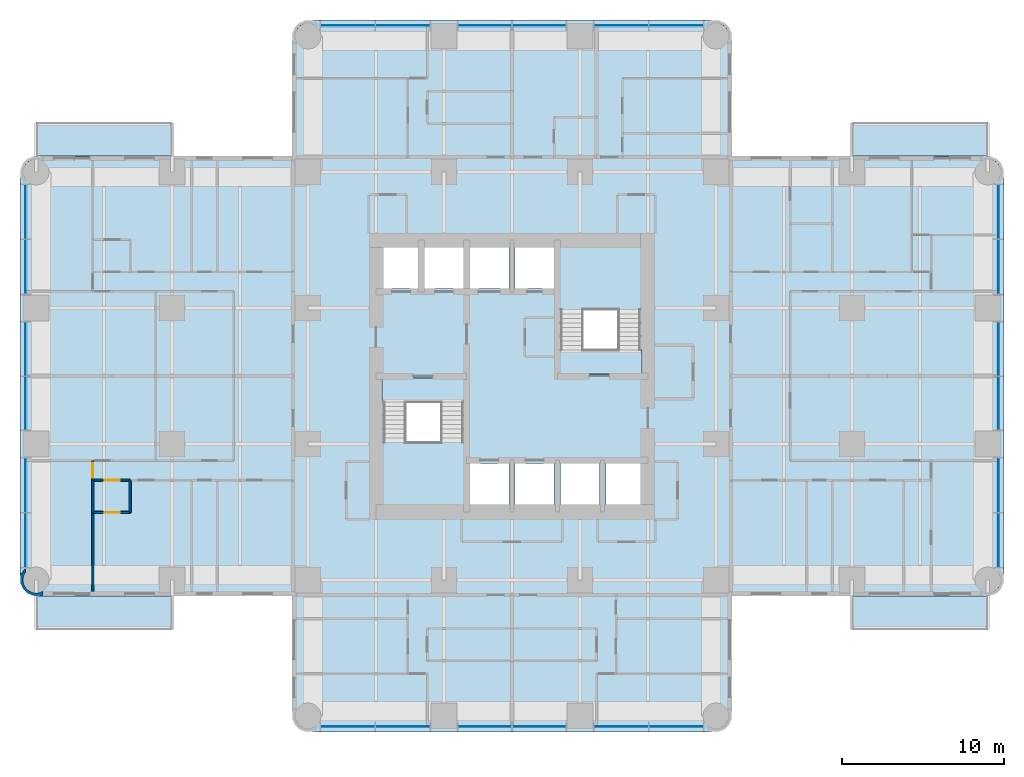
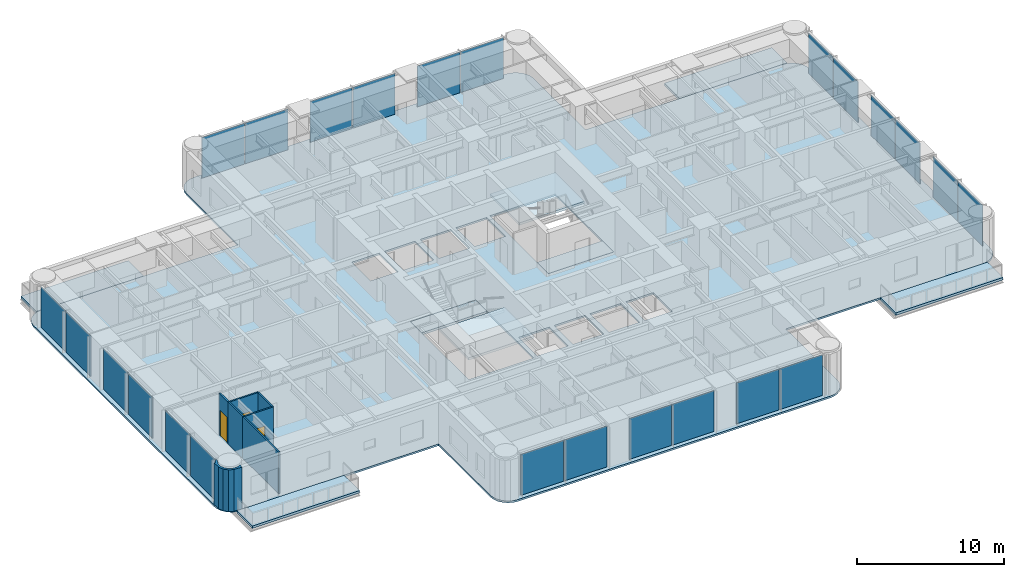
# One storey, part 5 of 15: 24 plates, 9 slabs, 7 walls, 3 doors, 3 openings, 6 elements without a shape of their own.
"""IFC4 building model written with IfcOpenShell, lengths in metres."""

from ifc_helpers import new_model, si_unit, direction, frame, frame_2d, origin, origin_2d, place, context, subcontext, project, spatial, polyline, rectangle, outline, extrude, material, layer, layer_set, type_object, element, fill, aggregate, save


model = new_model("IFC4")

# Units and contexts
model_context = context("Model", 3, precision=1e-05, world=origin(), true_north=direction((0.0, 1.0)))
body_context = subcontext(model_context, "Body", "Model", "MODEL_VIEW")
ifc_project = project(units=[si_unit("LENGTHUNIT", "METRE"), si_unit("AREAUNIT", "SQUARE_METRE"), si_unit("VOLUMEUNIT", "CUBIC_METRE"), si_unit("PLANEANGLEUNIT", "RADIAN"), si_unit("MASSUNIT", "GRAM", prefix="KILO")], contexts=[model_context])

# Site, building, storey
site_placement = place(None, origin())
site = spatial("IfcSite", under=ifc_project, at=site_placement, CompositionType="ELEMENT")
building_placement = place(site_placement, origin())
building = spatial("IfcBuilding", under=site, at=building_placement, Name="Torre Alcanfor", CompositionType="ELEMENT")
storey_placement = place(building_placement, frame((0.0, 0.0, 148.5)))
storey = spatial("IfcBuildingStorey", under=building, at=storey_placement, Name="L38", CompositionType="ELEMENT", Elevation=148.5)

# Slabs
ifc_material_1 = material(Name="Concrete f'c 35 MPa", Category="concrete")
ifc_layer_1 = layer(ifc_material_1, 0.199951171875)
ifc_layer_set_1 = layer_set([ifc_layer_1], Name="Balcony slab 200")
slab_type_1 = type_object("IfcSlabType", Name="Balcony slab 200", PredefinedType="FLOOR", material=ifc_layer_set_1)
slab_1_placement = place(storey_placement, frame((0.0, 0.0, -0.199951171875)))
element("IfcSlab", 1, at=slab_1_placement, inside=storey, type_object=slab_type_1, Name="Balcony L38-E1", PredefinedType="FLOOR", context=body_context, shape_type="SweptSolid", body=[
    extrude(outline(polyline([(50.39990234375, 43.0), (58.800048828125, 43.0), (58.800048828125, 45.10009765625), (50.39990234375, 45.10009765625), (50.39990234375, 43.0)])), origin(), (0.0, 0.0, 1.0), 0.199951171875),
])
slab_2_placement = place(storey_placement, frame((0.0, 0.0, -0.199951171875)))
element("IfcSlab", 2, at=slab_2_placement, inside=storey, type_object=slab_type_1, Name="Balcony L38-E2", PredefinedType="FLOOR", context=body_context, shape_type="SweptSolid", body=[
    extrude(outline(polyline([(50.39990234375, 13.699951171875), (58.800048828125, 13.699951171875), (58.800048828125, 15.800048828125), (50.39990234375, 15.800048828125), (50.39990234375, 13.699951171875)])), origin(), (0.0, 0.0, 1.0), 0.199951171875),
])
slab_3_placement = place(storey_placement, frame((0.0, 0.0, -0.199951171875)))
element("IfcSlab", 3, at=slab_3_placement, inside=storey, type_object=slab_type_1, Name="Balcony L38-W1", PredefinedType="FLOOR", context=body_context, shape_type="SweptSolid", body=[
    extrude(outline(polyline([(8.39990234375, 15.800048828125), (0.0, 15.800048828125), (0.0, 13.699951171875), (8.39990234375, 13.699951171875), (8.39990234375, 15.800048828125)])), origin(), (0.0, 0.0, 1.0), 0.199951171875),
])
slab_4_placement = place(storey_placement, frame((0.0, 0.0, -0.199951171875)))
element("IfcSlab", 4, at=slab_4_placement, inside=storey, type_object=slab_type_1, Name="Balcony L38-W2", PredefinedType="FLOOR", context=body_context, shape_type="SweptSolid", body=[
    extrude(outline(polyline([(8.39990234375, 45.10009765625), (0.0, 45.10009765625), (0.0, 43.0), (8.39990234375, 43.0), (8.39990234375, 45.10009765625)])), origin(), (0.0, 0.0, 1.0), 0.199951171875),
])

# Curtain wall, plates
ifc_material_2 = material(Name="Aluminium and glass", Category="aluminium")
curtain_wall_type = type_object("IfcCurtainWallType", Name="CW-A unitised apartment glazing with vertical FIN", PredefinedType="NOTDEFINED", material=ifc_material_2)
curtain_wall_1_placement = place(storey_placement, origin())
curtain_wall_1 = element("IfcCurtainWall", 5, at=curtain_wall_1_placement, inside=storey, type_object=curtain_wall_type, Name="Curtain wall CW-A L38 2", PredefinedType="NOTDEFINED")
ifc_material_3 = material(Name="Glass", Category="glass")
ifc_layer_2 = layer(ifc_material_3, 0.028076171875)
ifc_layer_set_2 = layer_set([ifc_layer_2], Name="CW-A clear double glazed unit")
plate_type = type_object("IfcPlateType", Name="CW-A clear double glazed unit", PredefinedType="CURTAIN_PANEL", material=ifc_layer_set_2)
plate_1_placement = place(storey_placement, frame((-0.64990234375, 39.541259765625, 0.0), z_axis=(0.0, 0.0, 1.0), x_axis=(0.0, -1.0, 0.0)))
plate_1 = element("IfcPlate", 6, at=plate_1_placement, type_object=plate_type, Name="CW-A panel 1.1.1", PredefinedType="CURTAIN_PANEL", context=body_context, shape_type="SweptSolid", body=[
    extrude(rectangle(XDim=3.337646484375, YDim=0.028076171875, at=origin_2d()), origin(), (0.0, 0.0, 1.0), 3.385009765625),
])
plate_2_placement = place(storey_placement, frame((-0.64990234375, 36.138671875, 0.0), z_axis=(0.0, 0.0, 1.0), x_axis=(0.0, -1.0, 0.0)))
plate_2 = element("IfcPlate", 7, at=plate_2_placement, type_object=plate_type, Name="CW-A panel 1.2.1", PredefinedType="CURTAIN_PANEL", context=body_context, shape_type="SweptSolid", body=[
    extrude(rectangle(XDim=3.337646484375, YDim=0.028076171875, at=origin_2d()), origin(), (0.0, 0.0, 1.0), 3.385009765625),
])
plate_3_placement = place(storey_placement, frame((-0.64990234375, 31.081298828125, 0.0), z_axis=(0.0, 0.0, 1.0), x_axis=(0.0, -1.0, 0.0)))
plate_3 = element("IfcPlate", 8, at=plate_3_placement, type_object=plate_type, Name="CW-A panel 2.1.1", PredefinedType="CURTAIN_PANEL", context=body_context, shape_type="SweptSolid", body=[
    extrude(rectangle(XDim=3.297607421875, YDim=0.028076171875, at=origin_2d()), origin(), (0.0, 0.0, 1.0), 3.385009765625),
])
plate_4_placement = place(storey_placement, frame((-0.64990234375, 27.71875, 0.0), z_axis=(0.0, 0.0, 1.0), x_axis=(0.0, -1.0, 0.0)))
plate_4 = element("IfcPlate", 9, at=plate_4_placement, type_object=plate_type, Name="CW-A panel 2.2.1", PredefinedType="CURTAIN_PANEL", context=body_context, shape_type="SweptSolid", body=[
    extrude(rectangle(XDim=3.297607421875, YDim=0.028076171875, at=origin_2d()), origin(), (0.0, 0.0, 1.0), 3.385009765625),
])
plate_5_placement = place(storey_placement, frame((-0.64990234375, 22.6611328125, 0.0), z_axis=(0.0, 0.0, 1.0), x_axis=(0.0, -1.0, 0.0)))
plate_5 = element("IfcPlate", 10, at=plate_5_placement, type_object=plate_type, Name="CW-A panel 3.1.1", PredefinedType="CURTAIN_PANEL", context=body_context, shape_type="SweptSolid", body=[
    extrude(rectangle(XDim=3.337646484375, YDim=0.028076171875, at=origin_2d()), origin(), (0.0, 0.0, 1.0), 3.385009765625),
])
plate_6_placement = place(storey_placement, frame((-0.64990234375, 19.2587890625, 0.0), z_axis=(0.0, 0.0, 1.0), x_axis=(0.0, -1.0, 0.0)))
plate_6 = element("IfcPlate", 11, at=plate_6_placement, type_object=plate_type, Name="CW-A panel 3.2.1", PredefinedType="CURTAIN_PANEL", context=body_context, shape_type="SweptSolid", body=[
    extrude(rectangle(XDim=3.337646484375, YDim=0.028076171875, at=origin_2d()), origin(), (0.0, 0.0, 1.0), 3.385009765625),
])
aggregate(curtain_wall_1, [plate_1, plate_2, plate_3, plate_4, plate_5, plate_6])

curtain_wall_2_placement = place(storey_placement, origin())
curtain_wall_2 = element("IfcCurtainWall", 12, at=curtain_wall_2_placement, inside=storey, type_object=curtain_wall_type, Name="Curtain wall CW-A L38 5", PredefinedType="NOTDEFINED")
plate_7_placement = place(storey_placement, frame((19.2587890625, 7.75, 0.0), z_axis=(0.0, 0.0, 1.0), x_axis=(1.0, 0.0, 0.0)))
plate_7 = element("IfcPlate", 13, at=plate_7_placement, type_object=plate_type, Name="CW-A panel 1.1.1", PredefinedType="CURTAIN_PANEL", context=body_context, shape_type="SweptSolid", body=[
    extrude(rectangle(XDim=3.337646484375, YDim=0.028076171875, at=origin_2d()), origin(), (0.0, 0.0, 1.0), 3.385009765625),
])
plate_8_placement = place(storey_placement, frame((22.6611328125, 7.75, 0.0), z_axis=(0.0, 0.0, 1.0), x_axis=(1.0, 0.0, 0.0)))
plate_8 = element("IfcPlate", 14, at=plate_8_placement, type_object=plate_type, Name="CW-A panel 1.2.1", PredefinedType="CURTAIN_PANEL", context=body_context, shape_type="SweptSolid", body=[
    extrude(rectangle(XDim=3.337646484375, YDim=0.028076171875, at=origin_2d()), origin(), (0.0, 0.0, 1.0), 3.385009765625),
])
plate_9_placement = place(storey_placement, frame((27.71875, 7.75, 0.0), z_axis=(0.0, 0.0, 1.0), x_axis=(1.0, 0.0, 0.0)))
plate_9 = element("IfcPlate", 15, at=plate_9_placement, type_object=plate_type, Name="CW-A panel 2.1.1", PredefinedType="CURTAIN_PANEL", context=body_context, shape_type="SweptSolid", body=[
    extrude(rectangle(XDim=3.297607421875, YDim=0.028076171875, at=origin_2d()), origin(), (0.0, 0.0, 1.0), 3.385009765625),
])
plate_10_placement = place(storey_placement, frame((31.081298828125, 7.75, 0.0), z_axis=(0.0, 0.0, 1.0), x_axis=(1.0, 0.0, 0.0)))
plate_10 = element("IfcPlate", 16, at=plate_10_placement, type_object=plate_type, Name="CW-A panel 2.2.1", PredefinedType="CURTAIN_PANEL", context=body_context, shape_type="SweptSolid", body=[
    extrude(rectangle(XDim=3.297607421875, YDim=0.028076171875, at=origin_2d()), origin(), (0.0, 0.0, 1.0), 3.385009765625),
])
plate_11_placement = place(storey_placement, frame((36.138671875, 7.75, 0.0), z_axis=(0.0, 0.0, 1.0), x_axis=(1.0, 0.0, 0.0)))
plate_11 = element("IfcPlate", 17, at=plate_11_placement, type_object=plate_type, Name="CW-A panel 3.1.1", PredefinedType="CURTAIN_PANEL", context=body_context, shape_type="SweptSolid", body=[
    extrude(rectangle(XDim=3.337646484375, YDim=0.028076171875, at=origin_2d()), origin(), (0.0, 0.0, 1.0), 3.385009765625),
])
plate_12_placement = place(storey_placement, frame((39.541259765625, 7.75, 0.0), z_axis=(0.0, 0.0, 1.0), x_axis=(1.0, 0.0, 0.0)))
plate_12 = element("IfcPlate", 18, at=plate_12_placement, type_object=plate_type, Name="CW-A panel 3.2.1", PredefinedType="CURTAIN_PANEL", context=body_context, shape_type="SweptSolid", body=[
    extrude(rectangle(XDim=3.337646484375, YDim=0.028076171875, at=origin_2d()), origin(), (0.0, 0.0, 1.0), 3.385009765625),
])
aggregate(curtain_wall_2, [plate_7, plate_8, plate_9, plate_10, plate_11, plate_12])

curtain_wall_3_placement = place(storey_placement, origin())
curtain_wall_3 = element("IfcCurtainWall", 19, at=curtain_wall_3_placement, inside=storey, type_object=curtain_wall_type, Name="Curtain wall CW-A L38 8", PredefinedType="NOTDEFINED")
plate_13_placement = place(storey_placement, frame((59.449951171875, 19.2587890625, 0.0), z_axis=(0.0, 0.0, 1.0), x_axis=(0.0, 1.0, 0.0)))
plate_13 = element("IfcPlate", 20, at=plate_13_placement, type_object=plate_type, Name="CW-A panel 1.1.1", PredefinedType="CURTAIN_PANEL", context=body_context, shape_type="SweptSolid", body=[
    extrude(rectangle(XDim=3.337646484375, YDim=0.028076171875, at=origin_2d()), origin(), (0.0, 0.0, 1.0), 3.385009765625),
])
plate_14_placement = place(storey_placement, frame((59.449951171875, 22.6611328125, 0.0), z_axis=(0.0, 0.0, 1.0), x_axis=(0.0, 1.0, 0.0)))
plate_14 = element("IfcPlate", 21, at=plate_14_placement, type_object=plate_type, Name="CW-A panel 1.2.1", PredefinedType="CURTAIN_PANEL", context=body_context, shape_type="SweptSolid", body=[
    extrude(rectangle(XDim=3.337646484375, YDim=0.028076171875, at=origin_2d()), origin(), (0.0, 0.0, 1.0), 3.385009765625),
])
plate_15_placement = place(storey_placement, frame((59.449951171875, 27.71875, 0.0), z_axis=(0.0, 0.0, 1.0), x_axis=(0.0, 1.0, 0.0)))
plate_15 = element("IfcPlate", 22, at=plate_15_placement, type_object=plate_type, Name="CW-A panel 2.1.1", PredefinedType="CURTAIN_PANEL", context=body_context, shape_type="SweptSolid", body=[
    extrude(rectangle(XDim=3.297607421875, YDim=0.028076171875, at=origin_2d()), origin(), (0.0, 0.0, 1.0), 3.385009765625),
])
plate_16_placement = place(storey_placement, frame((59.449951171875, 31.081298828125, 0.0), z_axis=(0.0, 0.0, 1.0), x_axis=(0.0, 1.0, 0.0)))
plate_16 = element("IfcPlate", 23, at=plate_16_placement, type_object=plate_type, Name="CW-A panel 2.2.1", PredefinedType="CURTAIN_PANEL", context=body_context, shape_type="SweptSolid", body=[
    extrude(rectangle(XDim=3.297607421875, YDim=0.028076171875, at=origin_2d()), origin(), (0.0, 0.0, 1.0), 3.385009765625),
])
plate_17_placement = place(storey_placement, frame((59.449951171875, 36.138671875, 0.0), z_axis=(0.0, 0.0, 1.0), x_axis=(0.0, 1.0, 0.0)))
plate_17 = element("IfcPlate", 24, at=plate_17_placement, type_object=plate_type, Name="CW-A panel 3.1.1", PredefinedType="CURTAIN_PANEL", context=body_context, shape_type="SweptSolid", body=[
    extrude(rectangle(XDim=3.337646484375, YDim=0.028076171875, at=origin_2d()), origin(), (0.0, 0.0, 1.0), 3.385009765625),
])
plate_18_placement = place(storey_placement, frame((59.449951171875, 39.541259765625, 0.0), z_axis=(0.0, 0.0, 1.0), x_axis=(0.0, 1.0, 0.0)))
plate_18 = element("IfcPlate", 25, at=plate_18_placement, type_object=plate_type, Name="CW-A panel 3.2.1", PredefinedType="CURTAIN_PANEL", context=body_context, shape_type="SweptSolid", body=[
    extrude(rectangle(XDim=3.337646484375, YDim=0.028076171875, at=origin_2d()), origin(), (0.0, 0.0, 1.0), 3.385009765625),
])
aggregate(curtain_wall_3, [plate_13, plate_14, plate_15, plate_16, plate_17, plate_18])

curtain_wall_4_placement = place(storey_placement, origin())
curtain_wall_4 = element("IfcCurtainWall", 26, at=curtain_wall_4_placement, inside=storey, type_object=curtain_wall_type, Name="Curtain wall CW-A L38 11", PredefinedType="NOTDEFINED")
plate_19_placement = place(storey_placement, frame((39.541259765625, 51.050048828125, 0.0), z_axis=(0.0, 0.0, 1.0), x_axis=(-1.0, 0.0, 0.0)))
plate_19 = element("IfcPlate", 27, at=plate_19_placement, type_object=plate_type, Name="CW-A panel 1.1.1", PredefinedType="CURTAIN_PANEL", context=body_context, shape_type="SweptSolid", body=[
    extrude(rectangle(XDim=3.337646484375, YDim=0.028076171875, at=origin_2d()), origin(), (0.0, 0.0, 1.0), 3.385009765625),
])
plate_20_placement = place(storey_placement, frame((36.138671875, 51.050048828125, 0.0), z_axis=(0.0, 0.0, 1.0), x_axis=(-1.0, 0.0, 0.0)))
plate_20 = element("IfcPlate", 28, at=plate_20_placement, type_object=plate_type, Name="CW-A panel 1.2.1", PredefinedType="CURTAIN_PANEL", context=body_context, shape_type="SweptSolid", body=[
    extrude(rectangle(XDim=3.337646484375, YDim=0.028076171875, at=origin_2d()), origin(), (0.0, 0.0, 1.0), 3.385009765625),
])
plate_21_placement = place(storey_placement, frame((31.081298828125, 51.050048828125, 0.0), z_axis=(0.0, 0.0, 1.0), x_axis=(-1.0, 0.0, 0.0)))
plate_21 = element("IfcPlate", 29, at=plate_21_placement, type_object=plate_type, Name="CW-A panel 2.1.1", PredefinedType="CURTAIN_PANEL", context=body_context, shape_type="SweptSolid", body=[
    extrude(rectangle(XDim=3.297607421875, YDim=0.028076171875, at=origin_2d()), origin(), (0.0, 0.0, 1.0), 3.385009765625),
])
plate_22_placement = place(storey_placement, frame((27.71875, 51.050048828125, 0.0), z_axis=(0.0, 0.0, 1.0), x_axis=(-1.0, 0.0, 0.0)))
plate_22 = element("IfcPlate", 30, at=plate_22_placement, type_object=plate_type, Name="CW-A panel 2.2.1", PredefinedType="CURTAIN_PANEL", context=body_context, shape_type="SweptSolid", body=[
    extrude(rectangle(XDim=3.297607421875, YDim=0.028076171875, at=origin_2d()), origin(), (0.0, 0.0, 1.0), 3.385009765625),
])
plate_23_placement = place(storey_placement, frame((22.6611328125, 51.050048828125, 0.0), z_axis=(0.0, 0.0, 1.0), x_axis=(-1.0, 0.0, 0.0)))
plate_23 = element("IfcPlate", 31, at=plate_23_placement, type_object=plate_type, Name="CW-A panel 3.1.1", PredefinedType="CURTAIN_PANEL", context=body_context, shape_type="SweptSolid", body=[
    extrude(rectangle(XDim=3.337646484375, YDim=0.028076171875, at=origin_2d()), origin(), (0.0, 0.0, 1.0), 3.385009765625),
])
plate_24_placement = place(storey_placement, frame((19.2587890625, 51.050048828125, 0.0), z_axis=(0.0, 0.0, 1.0), x_axis=(-1.0, 0.0, 0.0)))
plate_24 = element("IfcPlate", 32, at=plate_24_placement, type_object=plate_type, Name="CW-A panel 3.2.1", PredefinedType="CURTAIN_PANEL", context=body_context, shape_type="SweptSolid", body=[
    extrude(rectangle(XDim=3.337646484375, YDim=0.028076171875, at=origin_2d()), origin(), (0.0, 0.0, 1.0), 3.385009765625),
])
aggregate(curtain_wall_4, [plate_19, plate_20, plate_21, plate_22, plate_23, plate_24])

# Slab
ifc_material_4 = material(Name="Concrete f'c 35 MPa", Category="concrete")
ifc_layer_3 = layer(ifc_material_4, 0.14990234375)
ifc_layer_set_3 = layer_set([ifc_layer_3], Name="Composite floor 150 on metal deck")
slab_type_2 = type_object("IfcSlabType", Name="Composite floor 150 on metal deck", PredefinedType="FLOOR", material=ifc_layer_set_3)
slab_5_placement = place(storey_placement, frame((0.0, 0.0, -0.14990234375)))
element("IfcSlab", 33, at=slab_5_placement, inside=storey, type_object=slab_type_2, Name="Floor slab L38", PredefinedType="FLOOR", context=body_context, shape_type="SweptSolid", body=[
    extrude(outline(polyline([(15.800048828125, 43.0), (0.39990234375, 43.0), (0.03759765625, 42.952392578125), (-0.300048828125, 42.8125), (-0.58984375, 42.58984375), (-0.8125, 42.300048828125), (-0.952392578125, 41.96240234375), (-1.0, 41.60009765625), (-1.0, 17.199951171875), (-0.952392578125, 16.837646484375), (-0.8125, 16.5), (-0.58984375, 16.210205078125), (-0.300048828125, 15.987548828125), (0.03759765625, 15.84765625), (0.39990234375, 15.800048828125), (15.800048828125, 15.800048828125), (15.800048828125, 8.800048828125), (15.84765625, 8.437744140625), (15.987548828125, 8.10009765625), (16.210205078125, 7.81005859375), (16.5, 7.587646484375), (16.837646484375, 7.44775390625), (17.199951171875, 7.39990234375), (41.60009765625, 7.39990234375), (41.96240234375, 7.44775390625), (42.300048828125, 7.587646484375), (42.58984375, 7.81005859375), (42.8125, 8.10009765625), (42.952392578125, 8.437744140625), (43.0, 8.800048828125), (43.0, 15.800048828125), (58.39990234375, 15.800048828125), (58.76220703125, 15.84765625), (59.10009765625, 15.987548828125), (59.389892578125, 16.210205078125), (59.6123046875, 16.5), (59.752197265625, 16.837646484375), (59.800048828125, 17.199951171875), (59.800048828125, 41.60009765625), (59.752197265625, 41.96240234375), (59.6123046875, 42.300048828125), (59.389892578125, 42.58984375), (59.10009765625, 42.8125), (58.76220703125, 42.952392578125), (58.39990234375, 43.0), (43.0, 43.0), (43.0, 50.0), (42.952392578125, 50.3623046875), (42.8125, 50.699951171875), (42.58984375, 50.989990234375), (42.300048828125, 51.21240234375), (41.96240234375, 51.352294921875), (41.60009765625, 51.39990234375), (17.199951171875, 51.39990234375), (16.837646484375, 51.352294921875), (16.5, 51.21240234375), (16.210205078125, 50.989990234375), (15.987548828125, 50.699951171875), (15.84765625, 50.3623046875), (15.800048828125, 50.0), (15.800048828125, 43.0)]), holes=[polyline([(21.3701171875, 21.3701171875), (26.47998046875, 21.3701171875), (26.47998046875, 29.280029296875), (21.3701171875, 29.280029296875), (21.3701171875, 21.3701171875)]), polyline([(32.320068359375, 29.52001953125), (37.429931640625, 29.52001953125), (37.429931640625, 37.429931640625), (32.320068359375, 37.429931640625), (32.320068359375, 29.52001953125)]), polyline([(26.800048828125, 21.449951171875), (29.199951171875, 21.449951171875), (29.199951171875, 24.0), (26.800048828125, 24.0), (26.800048828125, 21.449951171875)]), polyline([(29.60009765625, 21.449951171875), (32.0, 21.449951171875), (32.0, 24.0), (29.60009765625, 24.0), (29.60009765625, 21.449951171875)]), polyline([(32.39990234375, 21.449951171875), (34.800048828125, 21.449951171875), (34.800048828125, 24.0), (32.39990234375, 24.0), (32.39990234375, 21.449951171875)]), polyline([(35.199951171875, 21.449951171875), (37.35009765625, 21.449951171875), (37.35009765625, 24.0), (35.199951171875, 24.0), (35.199951171875, 21.449951171875)]), polyline([(21.449951171875, 34.800048828125), (23.60009765625, 34.800048828125), (23.60009765625, 37.35009765625), (21.449951171875, 37.35009765625), (21.449951171875, 34.800048828125)]), polyline([(24.0, 34.800048828125), (26.39990234375, 34.800048828125), (26.39990234375, 37.35009765625), (24.0, 37.35009765625), (24.0, 34.800048828125)]), polyline([(26.800048828125, 34.800048828125), (29.199951171875, 34.800048828125), (29.199951171875, 37.35009765625), (26.800048828125, 37.35009765625), (26.800048828125, 34.800048828125)]), polyline([(29.60009765625, 34.800048828125), (32.0, 34.800048828125), (32.0, 37.35009765625), (29.60009765625, 37.35009765625), (29.60009765625, 34.800048828125)])]), origin(), (0.0, 0.0, 1.0), 0.14990234375),
])

# Stair, slabs
ifc_material_5 = material(Name="Concrete f'c 35 MPa", Category="concrete")
stair_type_1 = type_object("IfcStairType", Name="Exit stair S1 1400 wide", PredefinedType="HALF_TURN_STAIR", material=ifc_material_5)
stair_1_placement = place(storey_placement, origin())
stair_1 = element("IfcStair", 34, at=stair_1_placement, inside=storey, type_object=stair_type_1, Name="Stair S1 L38 to L39", PredefinedType="HALF_TURN_STAIR")
ifc_material_6 = material(Name="Concrete f'c 35 MPa", Category="concrete")
ifc_layer_4 = layer(ifc_material_6, 0.199951171875)
ifc_layer_set_4 = layer_set([ifc_layer_4], Name="Stair landing 200")
slab_type_3 = type_object("IfcSlabType", Name="Stair landing 200", PredefinedType="LANDING", material=ifc_layer_set_4)
slab_6_placement = place(storey_placement, frame((0.0, 0.0, -0.199951171875)))
slab_6 = element("IfcSlab", 35, at=slab_6_placement, type_object=slab_type_3, Name="S1 landing 1", PredefinedType="LANDING", context=body_context, shape_type="SweptSolid", body=[
    extrude(outline(polyline([(21.3701171875, 27.75), (26.47998046875, 27.75), (26.47998046875, 29.280029296875), (21.3701171875, 29.280029296875), (21.3701171875, 27.75)])), origin(), (0.0, 0.0, 1.0), 0.199951171875),
])
slab_7_placement = place(storey_placement, frame((0.0, 0.0, 1.60009765625)))
slab_7 = element("IfcSlab", 36, at=slab_7_placement, type_object=slab_type_3, Name="S1 landing 2", PredefinedType="LANDING", context=body_context, shape_type="SweptSolid", body=[
    extrude(outline(polyline([(21.3701171875, 21.3701171875), (26.47998046875, 21.3701171875), (26.47998046875, 25.330078125), (21.3701171875, 25.330078125), (21.3701171875, 21.3701171875)])), origin(), (0.0, 0.0, 1.0), 0.199951171875),
])
aggregate(stair_1, [slab_6, slab_7])

ifc_material_7 = material(Name="Concrete f'c 35 MPa", Category="concrete")
stair_type_2 = type_object("IfcStairType", Name="Exit stair S2 1400 wide", PredefinedType="HALF_TURN_STAIR", material=ifc_material_7)
stair_2_placement = place(storey_placement, origin())
stair_2 = element("IfcStair", 37, at=stair_2_placement, inside=storey, type_object=stair_type_2, Name="Stair S2 L38 to L39", PredefinedType="HALF_TURN_STAIR")
slab_8_placement = place(storey_placement, frame((0.0, 0.0, -0.199951171875)))
slab_8 = element("IfcSlab", 38, at=slab_8_placement, type_object=slab_type_3, Name="S2 landing 1", PredefinedType="LANDING", context=body_context, shape_type="SweptSolid", body=[
    extrude(outline(polyline([(32.320068359375, 29.52001953125), (37.429931640625, 29.52001953125), (37.429931640625, 31.050048828125), (32.320068359375, 31.050048828125), (32.320068359375, 29.52001953125)])), origin(), (0.0, 0.0, 1.0), 0.199951171875),
])
slab_9_placement = place(storey_placement, frame((0.0, 0.0, 1.60009765625)))
slab_9 = element("IfcSlab", 39, at=slab_9_placement, type_object=slab_type_3, Name="S2 landing 2", PredefinedType="LANDING", context=body_context, shape_type="SweptSolid", body=[
    extrude(outline(polyline([(32.320068359375, 33.469970703125), (37.429931640625, 33.469970703125), (37.429931640625, 37.429931640625), (32.320068359375, 37.429931640625), (32.320068359375, 33.469970703125)])), origin(), (0.0, 0.0, 1.0), 0.199951171875),
])
aggregate(stair_2, [slab_8, slab_9])

# Wall, opening, door
ifc_material_8 = material(Name="Gypsum board on steel studs", Category="steel")
ifc_layer_5 = layer(ifc_material_8, 0.1201171875)
ifc_layer_set_5 = layer_set([ifc_layer_5], Name="Apartment partition 120")
wall_type_1 = type_object("IfcWallType", Name="Apartment partition 120", PredefinedType="PARTITIONING", material=ifc_layer_set_5)
wall_1_placement = place(storey_placement, frame((3.5, 22.970947265625, 0.0), z_axis=(0.0, 0.0, 1.0), x_axis=(1.0, 0.0, 0.0)))
wall_1 = element("IfcWall", 40, at=wall_1_placement, inside=storey, type_object=wall_type_1, Name="Partition L38-W1-HALL / L38-W1-VEST", PredefinedType="PARTITIONING", context=body_context, shape_type="SweptSolid", body=[
    extrude(rectangle(XDim=2.300048828125, YDim=0.1201171875, at=frame_2d((1.14990234375, 0.0))), origin(), (0.0, 0.0, 1.0), 3.449951171875),
])
opening_1_placement = place(wall_1_placement, frame((0.75, 0.0, 0.0)))
opening_1 = element("IfcOpeningElement", 41, at=opening_1_placement, cuts=wall_1, Name="Opening D-R1", PredefinedType="OPENING", context=body_context, shape_type="SweptSolid", body=[
    extrude(rectangle(XDim=0.89990234375, YDim=2.10009765625, at=frame_2d((0.449951171875, 1.050048828125))), frame((0.0, 0.070068359375, 0.0), z_axis=(0.0, -1.0, 0.0), x_axis=(1.0, 0.0, 0.0)), (0.0, 0.0, 1.0), 0.14013671875),
])
ifc_material_9 = material(Name="Timber", Category="wood")
door_type = type_object("IfcDoorType", Name="Internal door 900x2100", OperationType="SINGLE_SWING_LEFT", PredefinedType="DOOR", material=ifc_material_9)
door_1_placement = place(opening_1_placement, frame((0.89990234375, 0.0, 0.0), z_axis=(0.0, 0.0, 1.0), x_axis=(-1.0, 0.0, 0.0)))
door_1 = element("IfcDoor", 42, at=door_1_placement, inside=storey, type_object=door_type, Name="Door L38-W1 vest", OperationType="SINGLE_SWING_LEFT", OverallHeight=2.10009765625, OverallWidth=0.89990234375, PredefinedType="DOOR", context=body_context, shape_type="SweptSolid", body=[
    extrude(rectangle(XDim=0.89990234375, YDim=2.10009765625, at=frame_2d((0.449951171875, 1.050048828125))), frame((0.0, 0.025146484375, 0.0), z_axis=(0.0, -1.0, 0.0), x_axis=(1.0, 0.0, 0.0)), (0.0, 0.0, 1.0), 0.050048828125),
])
fill(opening_1, door_1)

wall_2_placement = place(storey_placement, frame((3.5, 24.1708984375, 0.0), z_axis=(0.0, 0.0, 1.0), x_axis=(0.0, -1.0, 0.0)))
wall_2 = element("IfcWall", 43, at=wall_2_placement, inside=storey, type_object=wall_type_1, Name="Partition L38-W1-HALL / L38-W1-WGARD", PredefinedType="PARTITIONING", context=body_context, shape_type="SweptSolid", body=[
    extrude(rectangle(XDim=1.199951171875, YDim=0.1201171875, at=frame_2d((0.60009765625, 0.0))), origin(), (0.0, 0.0, 1.0), 3.449951171875),
])
opening_2_placement = place(wall_2_placement, frame((0.15087890625, 0.0, 0.0)))
opening_2 = element("IfcOpeningElement", 44, at=opening_2_placement, cuts=wall_2, Name="Opening D-R1", PredefinedType="OPENING", context=body_context, shape_type="SweptSolid", body=[
    extrude(rectangle(XDim=0.89990234375, YDim=2.10009765625, at=frame_2d((0.449951171875, 1.050048828125))), frame((0.0, 0.070068359375, 0.0), z_axis=(0.0, -1.0, 0.0), x_axis=(1.0, 0.0, 0.0)), (0.0, 0.0, 1.0), 0.14013671875),
])
door_2_placement = place(opening_2_placement, frame((0.89990234375, 0.0, 0.0), z_axis=(0.0, 0.0, 1.0), x_axis=(-1.0, 0.0, 0.0)))
door_2 = element("IfcDoor", 45, at=door_2_placement, inside=storey, type_object=door_type, Name="Door L38-W1 wgard", OperationType="SINGLE_SWING_RIGHT", OverallHeight=2.10009765625, OverallWidth=0.89990234375, PredefinedType="DOOR", context=body_context, shape_type="SweptSolid", body=[
    extrude(rectangle(XDim=0.89990234375, YDim=2.10009765625, at=frame_2d((0.449951171875, 1.050048828125))), frame((0.0, 0.025146484375, 0.0), z_axis=(0.0, -1.0, 0.0), x_axis=(1.0, 0.0, 0.0)), (0.0, 0.0, 1.0), 0.050048828125),
])
fill(opening_2, door_2)

wall_3_placement = place(storey_placement, frame((3.5, 20.970947265625, 0.0), z_axis=(0.0, 0.0, 1.0), x_axis=(1.0, 0.0, 0.0)))
wall_3 = element("IfcWall", 46, at=wall_3_placement, inside=storey, type_object=wall_type_1, Name="Partition L38-W1-MASTER / L38-W1-VEST", PredefinedType="PARTITIONING", context=body_context, shape_type="SweptSolid", body=[
    extrude(rectangle(XDim=2.300048828125, YDim=0.1201171875, at=frame_2d((1.14990234375, 0.0))), origin(), (0.0, 0.0, 1.0), 3.449951171875),
])
opening_3_placement = place(wall_3_placement, frame((0.75, 0.0, 0.0)))
opening_3 = element("IfcOpeningElement", 47, at=opening_3_placement, cuts=wall_3, Name="Opening D-R1", PredefinedType="OPENING", context=body_context, shape_type="SweptSolid", body=[
    extrude(rectangle(XDim=0.89990234375, YDim=2.10009765625, at=frame_2d((0.449951171875, 1.050048828125))), frame((0.0, 0.070068359375, 0.0), z_axis=(0.0, -1.0, 0.0), x_axis=(1.0, 0.0, 0.0)), (0.0, 0.0, 1.0), 0.14013671875),
])
door_3_placement = place(opening_3_placement, origin())
door_3 = element("IfcDoor", 48, at=door_3_placement, inside=storey, type_object=door_type, Name="Door L38-W1 master", OperationType="SINGLE_SWING_RIGHT", OverallHeight=2.10009765625, OverallWidth=0.89990234375, PredefinedType="DOOR", context=body_context, shape_type="SweptSolid", body=[
    extrude(rectangle(XDim=0.89990234375, YDim=2.10009765625, at=frame_2d((0.449951171875, 1.050048828125))), frame((0.0, 0.02490234375, 0.0), z_axis=(0.0, -1.0, 0.0), x_axis=(1.0, 0.0, 0.0)), (0.0, 0.0, 1.0), 0.050048828125),
])
fill(opening_3, door_3)

# Walls
wall_4_placement = place(storey_placement, frame((5.800048828125, 20.970947265625, 0.0), z_axis=(0.0, 0.0, 1.0), x_axis=(0.0, 1.0, 0.0)))
element("IfcWall", 49, at=wall_4_placement, inside=storey, type_object=wall_type_1, Name="Partition L38-W1-MASTER / L38-W1-VEST", PredefinedType="PARTITIONING", context=body_context, shape_type="SweptSolid", body=[
    extrude(rectangle(XDim=2.0, YDim=0.1201171875, at=frame_2d((1.0, 0.0))), origin(), (0.0, 0.0, 1.0), 3.449951171875),
])
wall_5_placement = place(storey_placement, frame((3.5, 16.10009765625, 0.0), z_axis=(0.0, 0.0, 1.0), x_axis=(0.0, 1.0, 0.0)))
element("IfcWall", 50, at=wall_5_placement, inside=storey, type_object=wall_type_1, Name="Partition L38-W1-MASTER / L38-W1-WGARD", PredefinedType="PARTITIONING", context=body_context, shape_type="SweptSolid", body=[
    extrude(rectangle(XDim=4.870849609375, YDim=0.1201171875, at=frame_2d((2.435546875, 0.0))), origin(), (0.0, 0.0, 1.0), 3.449951171875),
])
wall_6_placement = place(storey_placement, frame((3.5, 22.970947265625, 0.0), z_axis=(0.0, 0.0, 1.0), x_axis=(0.0, -1.0, 0.0)))
element("IfcWall", 51, at=wall_6_placement, inside=storey, type_object=wall_type_1, Name="Partition L38-W1-VEST / L38-W1-WGARD", PredefinedType="PARTITIONING", context=body_context, shape_type="SweptSolid", body=[
    extrude(rectangle(XDim=2.0, YDim=0.1201171875, at=frame_2d((1.0, 0.0))), origin(), (0.0, 0.0, 1.0), 3.449951171875),
])
ifc_material_10 = material(Name="Limestone cladding", Category="masonry")
ifc_layer_6 = layer(ifc_material_10, 0.0400390625, Name="Facing")
ifc_material_11 = material(Name="Ventilated air cavity")
ifc_layer_7 = layer(ifc_material_11, 0.02001953125, ventilated=True, Name="Ventilated joint")
ifc_material_12 = material(Name="Mineral wool insulation", Category="insulation")
ifc_layer_8 = layer(ifc_material_12, 0.10009765625, Name="Insulation")
ifc_material_13 = material(Name="Concrete f'c 35 MPa", Category="concrete")
ifc_layer_9 = layer(ifc_material_13, 0.139892578125, Name="Backing")
ifc_layer_set_6 = layer_set([ifc_layer_6, ifc_layer_7, ifc_layer_8, ifc_layer_9], Name="Rounded corner pier stone-clad 300")
wall_type_2 = type_object("IfcWallType", Name="Rounded corner pier stone-clad 300", PredefinedType="SOLIDWALL", material=ifc_layer_set_6)
wall_7_placement = place(storey_placement, frame((-0.595317512, 17.448071802, 0.0), z_axis=(0.0, 0.0, 1.0), x_axis=(-0.93923434088, -0.343276641956, 0.0)))
element("IfcWall", 52, at=wall_7_placement, inside=storey, type_object=wall_type_2, Name="Corner pier L38 14", PredefinedType="SOLIDWALL", context=body_context, shape_type="SweptSolid", body=[
    extrude(outline(polyline([(-0.36901687290747565, 1.8895155017116005), (-0.5091640790076659, 1.6212761977701722), (-0.4905903530283585, 1.6144877680830545), (-0.47948243923657013, 1.6086084348003613), (-0.21122522327048593, 1.6199972505432854), (0.08778883447046232, 1.5107119133580826), (0.3225108976454373, 1.2952164137736593), (0.4570343816413681, 1.0061292766156664), (0.470385530542732, 0.6877670550734887), (0.36101638558361415, 0.38852369207353665), (0.14552088599919094, 0.15380162889856172), (0.10803112982284666, 0.13657123594691412), (0.030844170047101382, -0.07461890759558078), (0.24094301513563465, 0.023009904898978376), (0.3335722649355225, 0.12354205241220817), (0.46526570659148436, 0.09412537095504334), (0.5319165148651629, 0.3931255880778293), (0.6305582647631567, 0.6630178779252955), (0.6143066479271062, 1.0445648337608835), (0.4533864294189357, 1.390867848169107), (0.172157378959642, 1.6490946263605986), (-0.09750560562882049, 1.747652568484677), (-0.36901687290747565, 1.8895155017116005)])), origin(), (0.0, 0.0, 1.0), 3.449951171875),
])

save(model, "model.ifc")
